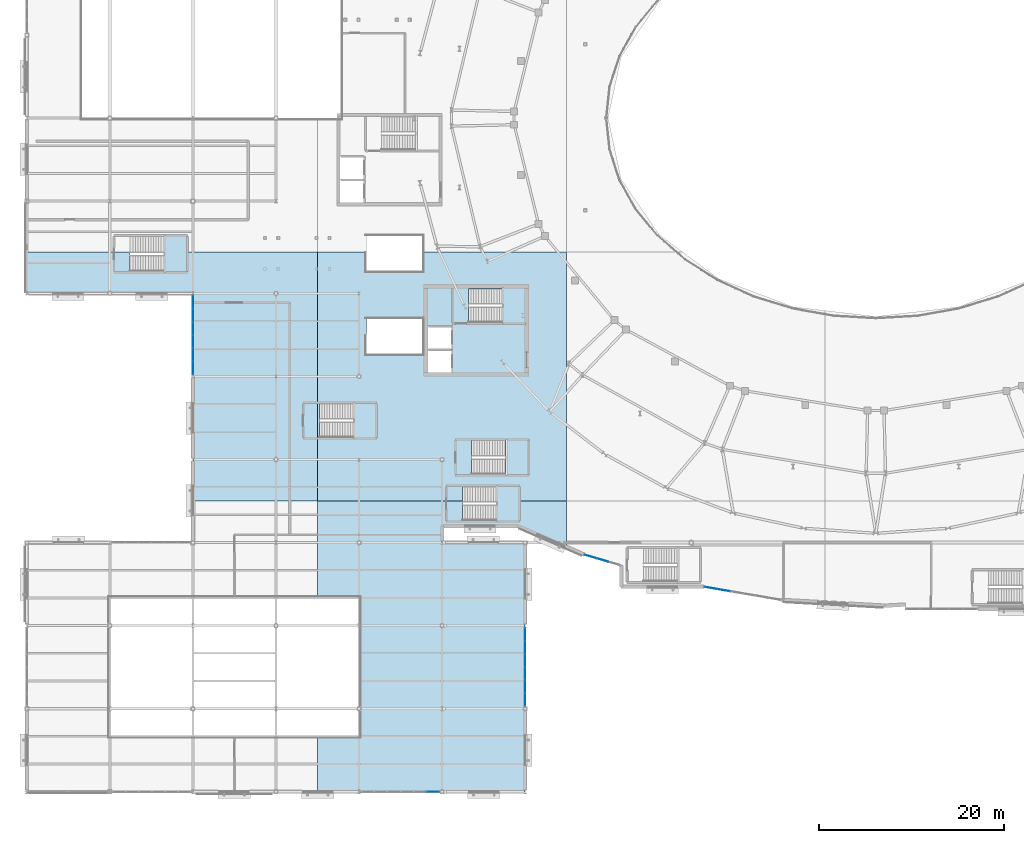
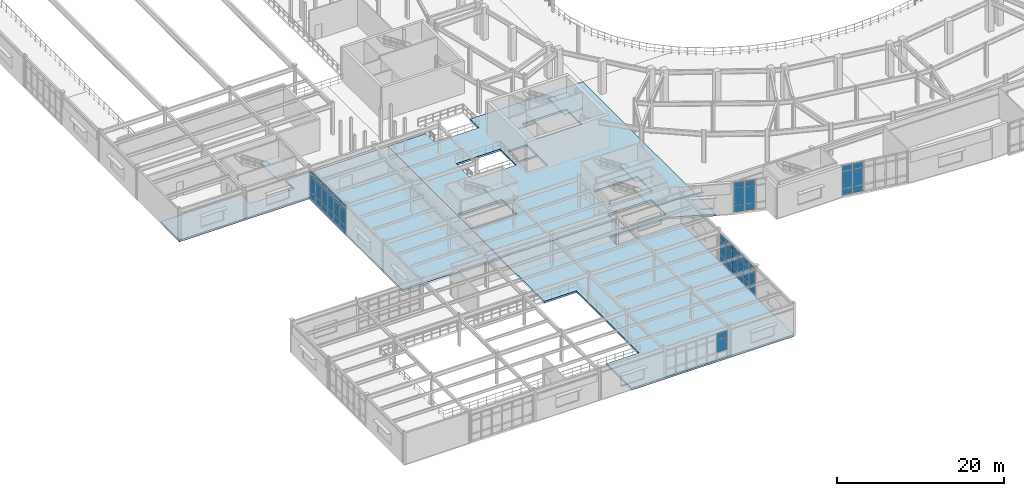
# One storey, part 53 of 86: 50 plates, 8 slabs, 10 elements without a shape of their own.
"""IFC4 building model written with IfcOpenShell, lengths in metres."""

from ifc_helpers import new_model, si_unit, direction, frame, origin, origin_2d, place, context, subcontext, project, spatial, polyline, rectangle, outline, extrude, material, layer, layer_set, type_object, element, aggregate, save


model = new_model("IFC4")

# Units and contexts
model_context = context("Model", 3, precision=1e-05, world=origin(), true_north=direction((0.0, 1.0)))
body_context = subcontext(model_context, "Body", "Model", "MODEL_VIEW")
ifc_project = project(units=[si_unit("LENGTHUNIT", "METRE"), si_unit("AREAUNIT", "SQUARE_METRE"), si_unit("VOLUMEUNIT", "CUBIC_METRE"), si_unit("PLANEANGLEUNIT", "RADIAN"), si_unit("MASSUNIT", "GRAM", prefix="KILO")], contexts=[model_context])

# Site, building, storey
site_placement = place(None, origin())
site = spatial("IfcSite", under=ifc_project, at=site_placement, CompositionType="ELEMENT")
building_placement = place(site_placement, origin())
building = spatial("IfcBuilding", under=site, at=building_placement, Name="Glasvene Arena", CompositionType="ELEMENT")
storey_placement = place(building_placement, frame((0.0, 0.0, 5.39990234375)))
storey = spatial("IfcBuildingStorey", under=building, at=storey_placement, Name="L01", CompositionType="ELEMENT", Elevation=5.39990234375)

# Curtain wall, plates
ifc_material_1 = material(Name="Low-emissivity laminated double glazing", Category="glass")
curtain_wall_type_1 = type_object("IfcCurtainWallType", Name="CW-FAC-L01-842x446", PredefinedType="USERDEFINED", material=ifc_material_1)
curtain_wall_1_placement = place(storey_placement, frame((81.720703125, 20.78271484375, 0.0)))
curtain_wall_1 = element("IfcCurtainWall", 1, at=curtain_wall_1_placement, inside=storey, type_object=curtain_wall_type_1, Name="Unitised curtain wall CW-F-L01-180-776-215-46", ObjectType="CURTAIN WALL", PredefinedType="USERDEFINED")
ifc_layer_1 = layer(ifc_material_1, 0.028076171875)
ifc_layer_set_1 = layer_set([ifc_layer_1], Name="Low-emissivity laminated double glazing")
plate_type = type_object("IfcPlateType", Name="CW-GLZ-28", PredefinedType="CURTAIN_PANEL", material=ifc_layer_set_1)
plate_1_placement = place(storey_placement, frame((75.494384765625, 21.840576171875, 0.10986328125), z_axis=(0.0, 0.0, 1.0), x_axis=(-0.985869695789, 0.167514008144, 0.0)))
plate_1 = element("IfcPlate", 2, at=plate_1_placement, type_object=plate_type, Name="CW-014 panel 5.1", PredefinedType="CURTAIN_PANEL", context=body_context, shape_type="SweptSolid", body=[
    extrude(rectangle(XDim=1.353515625, YDim=0.028076171875, at=origin_2d()), origin(), (0.0, 0.0, 1.0), 0.965087890625),
])
plate_2_placement = place(storey_placement, frame((75.494384765625, 21.840576171875, 1.125), z_axis=(0.0, 0.0, 1.0), x_axis=(-0.985869695789, 0.167514008144, 0.0)))
plate_2 = element("IfcPlate", 3, at=plate_2_placement, type_object=plate_type, Name="CW-014 panel 5.2", PredefinedType="CURTAIN_PANEL", context=body_context, shape_type="SweptSolid", body=[
    extrude(rectangle(XDim=1.353515625, YDim=0.028076171875, at=origin_2d()), origin(), (0.0, 0.0, 1.0), 2.469970703125),
])
plate_3_placement = place(storey_placement, frame((75.494384765625, 21.840576171875, 3.64501953125), z_axis=(0.0, 0.0, 1.0), x_axis=(-0.985869695789, 0.167514008144, 0.0)))
plate_3 = element("IfcPlate", 4, at=plate_3_placement, type_object=plate_type, Name="CW-014 panel 5.3", PredefinedType="CURTAIN_PANEL", context=body_context, shape_type="SweptSolid", body=[
    extrude(rectangle(XDim=1.353515625, YDim=0.028076171875, at=origin_2d()), origin(), (0.0, 0.0, 1.0), 0.824951171875),
])
plate_4_placement = place(storey_placement, frame((74.123046875, 22.07373046875, 0.10986328125), z_axis=(0.0, 0.0, 1.0), x_axis=(-0.985869695789, 0.167514008144, 0.0)))
plate_4 = element("IfcPlate", 5, at=plate_4_placement, type_object=plate_type, Name="CW-014 panel 6.1", PredefinedType="CURTAIN_PANEL", context=body_context, shape_type="SweptSolid", body=[
    extrude(rectangle(XDim=1.328369140625, YDim=0.028076171875, at=origin_2d()), origin(), (0.0, 0.0, 1.0), 0.965087890625),
])
plate_5_placement = place(storey_placement, frame((74.123046875, 22.07373046875, 1.125), z_axis=(0.0, 0.0, 1.0), x_axis=(-0.985869695789, 0.167514008144, 0.0)))
plate_5 = element("IfcPlate", 6, at=plate_5_placement, type_object=plate_type, Name="CW-014 panel 6.2", PredefinedType="CURTAIN_PANEL", context=body_context, shape_type="SweptSolid", body=[
    extrude(rectangle(XDim=1.328369140625, YDim=0.028076171875, at=origin_2d()), origin(), (0.0, 0.0, 1.0), 2.469970703125),
])
plate_6_placement = place(storey_placement, frame((74.123046875, 22.07373046875, 3.64501953125), z_axis=(0.0, 0.0, 1.0), x_axis=(-0.985869695789, 0.167514008144, 0.0)))
plate_6 = element("IfcPlate", 7, at=plate_6_placement, type_object=plate_type, Name="CW-014 panel 6.3", PredefinedType="CURTAIN_PANEL", context=body_context, shape_type="SweptSolid", body=[
    extrude(rectangle(XDim=1.328369140625, YDim=0.028076171875, at=origin_2d()), origin(), (0.0, 0.0, 1.0), 0.824951171875),
])
aggregate(curtain_wall_1, [plate_1, plate_2, plate_3, plate_4, plate_5, plate_6])

curtain_wall_type_2 = type_object("IfcCurtainWallType", Name="CW-FAC-L01-411x446", PredefinedType="USERDEFINED", material=ifc_material_1)
curtain_wall_2_placement = place(storey_placement, frame((64.361572265625, 24.525390625, 0.0)))
curtain_wall_2 = element("IfcCurtainWall", 8, at=curtain_wall_2_placement, inside=storey, type_object=curtain_wall_type_2, Name="Unitised curtain wall CW-F-L01-180-624-251-49", ObjectType="CURTAIN WALL", PredefinedType="USERDEFINED")
plate_7_placement = place(storey_placement, frame((62.390380859375, 25.103271484375, 0.10986328125), z_axis=(0.0, 0.0, 1.0), x_axis=(-0.959624012704, 0.28128589414, 0.0)))
plate_7 = element("IfcPlate", 9, at=plate_7_placement, type_object=plate_type, Name="CW-015 panel 2.1", PredefinedType="CURTAIN_PANEL", context=body_context, shape_type="SweptSolid", body=[
    extrude(rectangle(XDim=1.3193359375, YDim=0.028076171875, at=origin_2d()), origin(), (0.0, 0.0, 1.0), 0.965087890625),
])
plate_8_placement = place(storey_placement, frame((62.390380859375, 25.103271484375, 1.125), z_axis=(0.0, 0.0, 1.0), x_axis=(-0.959624012704, 0.28128589414, 0.0)))
plate_8 = element("IfcPlate", 10, at=plate_8_placement, type_object=plate_type, Name="CW-015 panel 2.2", PredefinedType="CURTAIN_PANEL", context=body_context, shape_type="SweptSolid", body=[
    extrude(rectangle(XDim=1.3193359375, YDim=0.028076171875, at=origin_2d()), origin(), (0.0, 0.0, 1.0), 2.469970703125),
])
plate_9_placement = place(storey_placement, frame((62.390380859375, 25.103271484375, 3.64501953125), z_axis=(0.0, 0.0, 1.0), x_axis=(-0.959624012704, 0.28128589414, 0.0)))
plate_9 = element("IfcPlate", 11, at=plate_9_placement, type_object=plate_type, Name="CW-015 panel 2.3", PredefinedType="CURTAIN_PANEL", context=body_context, shape_type="SweptSolid", body=[
    extrude(rectangle(XDim=1.3193359375, YDim=0.028076171875, at=origin_2d()), origin(), (0.0, 0.0, 1.0), 0.824951171875),
])
plate_10_placement = place(storey_placement, frame((61.08837890625, 25.48486328125, 0.10986328125), z_axis=(0.0, 0.0, 1.0), x_axis=(-0.959624012704, 0.28128589414, 0.0)))
plate_10 = element("IfcPlate", 12, at=plate_10_placement, type_object=plate_type, Name="CW-015 panel 3.1", PredefinedType="CURTAIN_PANEL", context=body_context, shape_type="SweptSolid", body=[
    extrude(rectangle(XDim=1.29443359375, YDim=0.028076171875, at=origin_2d()), origin(), (0.0, 0.0, 1.0), 0.965087890625),
])
plate_11_placement = place(storey_placement, frame((61.08837890625, 25.48486328125, 1.125), z_axis=(0.0, 0.0, 1.0), x_axis=(-0.959624012704, 0.28128589414, 0.0)))
plate_11 = element("IfcPlate", 13, at=plate_11_placement, type_object=plate_type, Name="CW-015 panel 3.2", PredefinedType="CURTAIN_PANEL", context=body_context, shape_type="SweptSolid", body=[
    extrude(rectangle(XDim=1.29443359375, YDim=0.028076171875, at=origin_2d()), origin(), (0.0, 0.0, 1.0), 2.469970703125),
])
plate_12_placement = place(storey_placement, frame((61.08837890625, 25.48486328125, 3.64501953125), z_axis=(0.0, 0.0, 1.0), x_axis=(-0.959624012704, 0.28128589414, 0.0)))
plate_12 = element("IfcPlate", 14, at=plate_12_placement, type_object=plate_type, Name="CW-015 panel 3.3", PredefinedType="CURTAIN_PANEL", context=body_context, shape_type="SweptSolid", body=[
    extrude(rectangle(XDim=1.29443359375, YDim=0.028076171875, at=origin_2d()), origin(), (0.0, 0.0, 1.0), 0.824951171875),
])
aggregate(curtain_wall_2, [plate_7, plate_8, plate_9, plate_10, plate_11, plate_12])

curtain_wall_type_3 = type_object("IfcCurtainWallType", Name="CW-FAC-L01-851x416", PredefinedType="USERDEFINED", material=ifc_material_1)
curtain_wall_3_placement = place(storey_placement, frame((54.0, 17.758056640625, 0.0)))
curtain_wall_3 = element("IfcCurtainWall", 15, at=curtain_wall_3_placement, inside=storey, type_object=curtain_wall_type_3, Name="Unitised curtain wall CW-F-L01-180-540-135-55", ObjectType="CURTAIN WALL", PredefinedType="USERDEFINED")
plate_13_placement = place(storey_placement, frame((54.0, 17.0361328125, 0.10986328125), z_axis=(0.0, 0.0, 1.0), x_axis=(0.0, -1.0, 0.0)))
plate_13 = element("IfcPlate", 16, at=plate_13_placement, type_object=plate_type, Name="CW-016 panel 1.1", PredefinedType="CURTAIN_PANEL", context=body_context, shape_type="SweptSolid", body=[
    extrude(rectangle(XDim=1.34375, YDim=0.028076171875, at=origin_2d()), origin(), (0.0, 0.0, 1.0), 0.965087890625),
])
plate_14_placement = place(storey_placement, frame((54.0, 17.0361328125, 1.125), z_axis=(0.0, 0.0, 1.0), x_axis=(0.0, -1.0, 0.0)))
plate_14 = element("IfcPlate", 17, at=plate_14_placement, type_object=plate_type, Name="CW-016 panel 1.2", PredefinedType="CURTAIN_PANEL", context=body_context, shape_type="SweptSolid", body=[
    extrude(rectangle(XDim=1.34375, YDim=0.028076171875, at=origin_2d()), origin(), (0.0, 0.0, 1.0), 2.1650390625),
])
plate_15_placement = place(storey_placement, frame((54.0, 17.0361328125, 3.34033203125), z_axis=(0.0, 0.0, 1.0), x_axis=(0.0, -1.0, 0.0)))
plate_15 = element("IfcPlate", 18, at=plate_15_placement, type_object=plate_type, Name="CW-016 panel 1.3", PredefinedType="CURTAIN_PANEL", context=body_context, shape_type="SweptSolid", body=[
    extrude(rectangle(XDim=1.34375, YDim=0.028076171875, at=origin_2d()), origin(), (0.0, 0.0, 1.0), 0.824951171875),
])
plate_16_placement = place(storey_placement, frame((54.0, 15.6298828125, 0.10986328125), z_axis=(0.0, 0.0, 1.0), x_axis=(0.0, -1.0, 0.0)))
plate_16 = element("IfcPlate", 19, at=plate_16_placement, type_object=plate_type, Name="CW-016 panel 2.1", PredefinedType="CURTAIN_PANEL", context=body_context, shape_type="SweptSolid", body=[
    extrude(rectangle(XDim=1.368896484375, YDim=0.028076171875, at=origin_2d()), origin(), (0.0, 0.0, 1.0), 0.965087890625),
])
plate_17_placement = place(storey_placement, frame((54.0, 15.6298828125, 1.125), z_axis=(0.0, 0.0, 1.0), x_axis=(0.0, -1.0, 0.0)))
plate_17 = element("IfcPlate", 20, at=plate_17_placement, type_object=plate_type, Name="CW-016 panel 2.2", PredefinedType="CURTAIN_PANEL", context=body_context, shape_type="SweptSolid", body=[
    extrude(rectangle(XDim=1.368896484375, YDim=0.028076171875, at=origin_2d()), origin(), (0.0, 0.0, 1.0), 2.1650390625),
])
plate_18_placement = place(storey_placement, frame((54.0, 15.6298828125, 3.34033203125), z_axis=(0.0, 0.0, 1.0), x_axis=(0.0, -1.0, 0.0)))
plate_18 = element("IfcPlate", 21, at=plate_18_placement, type_object=plate_type, Name="CW-016 panel 2.3", PredefinedType="CURTAIN_PANEL", context=body_context, shape_type="SweptSolid", body=[
    extrude(rectangle(XDim=1.368896484375, YDim=0.028076171875, at=origin_2d()), origin(), (0.0, 0.0, 1.0), 0.824951171875),
])
plate_19_placement = place(storey_placement, frame((54.0, 14.2109375, 0.10986328125), z_axis=(0.0, 0.0, 1.0), x_axis=(0.0, -1.0, 0.0)))
plate_19 = element("IfcPlate", 22, at=plate_19_placement, type_object=plate_type, Name="CW-016 panel 3.1", PredefinedType="CURTAIN_PANEL", context=body_context, shape_type="SweptSolid", body=[
    extrude(rectangle(XDim=1.368896484375, YDim=0.028076171875, at=origin_2d()), origin(), (0.0, 0.0, 1.0), 0.965087890625),
])
plate_20_placement = place(storey_placement, frame((54.0, 14.2109375, 1.125), z_axis=(0.0, 0.0, 1.0), x_axis=(0.0, -1.0, 0.0)))
plate_20 = element("IfcPlate", 23, at=plate_20_placement, type_object=plate_type, Name="CW-016 panel 3.2", PredefinedType="CURTAIN_PANEL", context=body_context, shape_type="SweptSolid", body=[
    extrude(rectangle(XDim=1.368896484375, YDim=0.028076171875, at=origin_2d()), origin(), (0.0, 0.0, 1.0), 2.1650390625),
])
plate_21_placement = place(storey_placement, frame((54.0, 14.2109375, 3.34033203125), z_axis=(0.0, 0.0, 1.0), x_axis=(0.0, -1.0, 0.0)))
plate_21 = element("IfcPlate", 24, at=plate_21_placement, type_object=plate_type, Name="CW-016 panel 3.3", PredefinedType="CURTAIN_PANEL", context=body_context, shape_type="SweptSolid", body=[
    extrude(rectangle(XDim=1.368896484375, YDim=0.028076171875, at=origin_2d()), origin(), (0.0, 0.0, 1.0), 0.824951171875),
])
plate_22_placement = place(storey_placement, frame((54.0, 12.792236328125, 0.10986328125), z_axis=(0.0, 0.0, 1.0), x_axis=(0.0, -1.0, 0.0)))
plate_22 = element("IfcPlate", 25, at=plate_22_placement, type_object=plate_type, Name="CW-016 panel 4.1", PredefinedType="CURTAIN_PANEL", context=body_context, shape_type="SweptSolid", body=[
    extrude(rectangle(XDim=1.368896484375, YDim=0.028076171875, at=origin_2d()), origin(), (0.0, 0.0, 1.0), 0.965087890625),
])
plate_23_placement = place(storey_placement, frame((54.0, 12.792236328125, 1.125), z_axis=(0.0, 0.0, 1.0), x_axis=(0.0, -1.0, 0.0)))
plate_23 = element("IfcPlate", 26, at=plate_23_placement, type_object=plate_type, Name="CW-016 panel 4.2", PredefinedType="CURTAIN_PANEL", context=body_context, shape_type="SweptSolid", body=[
    extrude(rectangle(XDim=1.368896484375, YDim=0.028076171875, at=origin_2d()), origin(), (0.0, 0.0, 1.0), 2.1650390625),
])
plate_24_placement = place(storey_placement, frame((54.0, 12.792236328125, 3.34033203125), z_axis=(0.0, 0.0, 1.0), x_axis=(0.0, -1.0, 0.0)))
plate_24 = element("IfcPlate", 27, at=plate_24_placement, type_object=plate_type, Name="CW-016 panel 4.3", PredefinedType="CURTAIN_PANEL", context=body_context, shape_type="SweptSolid", body=[
    extrude(rectangle(XDim=1.368896484375, YDim=0.028076171875, at=origin_2d()), origin(), (0.0, 0.0, 1.0), 0.824951171875),
])
plate_25_placement = place(storey_placement, frame((54.0, 11.373291015625, 0.10986328125), z_axis=(0.0, 0.0, 1.0), x_axis=(0.0, -1.0, 0.0)))
plate_25 = element("IfcPlate", 28, at=plate_25_placement, type_object=plate_type, Name="CW-016 panel 5.1", PredefinedType="CURTAIN_PANEL", context=body_context, shape_type="SweptSolid", body=[
    extrude(rectangle(XDim=1.368896484375, YDim=0.028076171875, at=origin_2d()), origin(), (0.0, 0.0, 1.0), 0.965087890625),
])
plate_26_placement = place(storey_placement, frame((54.0, 11.373291015625, 1.125), z_axis=(0.0, 0.0, 1.0), x_axis=(0.0, -1.0, 0.0)))
plate_26 = element("IfcPlate", 29, at=plate_26_placement, type_object=plate_type, Name="CW-016 panel 5.2", PredefinedType="CURTAIN_PANEL", context=body_context, shape_type="SweptSolid", body=[
    extrude(rectangle(XDim=1.368896484375, YDim=0.028076171875, at=origin_2d()), origin(), (0.0, 0.0, 1.0), 2.1650390625),
])
plate_27_placement = place(storey_placement, frame((54.0, 11.373291015625, 3.34033203125), z_axis=(0.0, 0.0, 1.0), x_axis=(0.0, -1.0, 0.0)))
plate_27 = element("IfcPlate", 30, at=plate_27_placement, type_object=plate_type, Name="CW-016 panel 5.3", PredefinedType="CURTAIN_PANEL", context=body_context, shape_type="SweptSolid", body=[
    extrude(rectangle(XDim=1.368896484375, YDim=0.028076171875, at=origin_2d()), origin(), (0.0, 0.0, 1.0), 0.824951171875),
])
plate_28_placement = place(storey_placement, frame((54.0, 9.967041015625, 0.10986328125), z_axis=(0.0, 0.0, 1.0), x_axis=(0.0, -1.0, 0.0)))
plate_28 = element("IfcPlate", 31, at=plate_28_placement, type_object=plate_type, Name="CW-016 panel 6.1", PredefinedType="CURTAIN_PANEL", context=body_context, shape_type="SweptSolid", body=[
    extrude(rectangle(XDim=1.34375, YDim=0.028076171875, at=origin_2d()), origin(), (0.0, 0.0, 1.0), 0.965087890625),
])
plate_29_placement = place(storey_placement, frame((54.0, 9.967041015625, 1.125), z_axis=(0.0, 0.0, 1.0), x_axis=(0.0, -1.0, 0.0)))
plate_29 = element("IfcPlate", 32, at=plate_29_placement, type_object=plate_type, Name="CW-016 panel 6.2", PredefinedType="CURTAIN_PANEL", context=body_context, shape_type="SweptSolid", body=[
    extrude(rectangle(XDim=1.34375, YDim=0.028076171875, at=origin_2d()), origin(), (0.0, 0.0, 1.0), 2.1650390625),
])
plate_30_placement = place(storey_placement, frame((54.0, 9.967041015625, 3.34033203125), z_axis=(0.0, 0.0, 1.0), x_axis=(0.0, -1.0, 0.0)))
plate_30 = element("IfcPlate", 33, at=plate_30_placement, type_object=plate_type, Name="CW-016 panel 6.3", PredefinedType="CURTAIN_PANEL", context=body_context, shape_type="SweptSolid", body=[
    extrude(rectangle(XDim=1.34375, YDim=0.028076171875, at=origin_2d()), origin(), (0.0, 0.0, 1.0), 0.824951171875),
])
aggregate(curtain_wall_3, [plate_13, plate_14, plate_15, plate_16, plate_17, plate_18, plate_19, plate_20, plate_21, plate_22, plate_23, plate_24, plate_25, plate_26, plate_27, plate_28, plate_29, plate_30])

curtain_wall_type_4 = type_object("IfcCurtainWallType", Name="CW-FAC-L01-856x385", PredefinedType="USERDEFINED", material=ifc_material_1)
curtain_wall_4_placement = place(storey_placement, frame((44.7548828125, 0.0, 0.0)))
curtain_wall_4 = element("IfcCurtainWall", 34, at=curtain_wall_4_placement, inside=storey, type_object=curtain_wall_type_4, Name="Unitised curtain wall CW-F-L01-150-405-0-58", ObjectType="CURTAIN WALL", PredefinedType="USERDEFINED")
plate_31_placement = place(storey_placement, frame((44.02880859375, 0.0, 1.125244140625), z_axis=(0.0, 0.0, 1.0), x_axis=(-1.0, 0.0, 0.0)))
plate_31 = element("IfcPlate", 35, at=plate_31_placement, type_object=plate_type, Name="CW-017 panel 1.2", PredefinedType="CURTAIN_PANEL", context=body_context, shape_type="SweptSolid", body=[
    extrude(rectangle(XDim=1.35205078125, YDim=0.028076171875, at=origin_2d()), origin(), (0.0, 0.0, 1.0), 1.85693359375),
])
plate_32_placement = place(storey_placement, frame((44.02880859375, 0.0, 3.0322265625), z_axis=(0.0, 0.0, 1.0), x_axis=(-1.0, 0.0, 0.0)))
plate_32 = element("IfcPlate", 36, at=plate_32_placement, type_object=plate_type, Name="CW-017 panel 1.3", PredefinedType="CURTAIN_PANEL", context=body_context, shape_type="SweptSolid", body=[
    extrude(rectangle(XDim=1.35205078125, YDim=0.028076171875, at=origin_2d()), origin(), (0.0, 0.0, 1.0), 0.824951171875),
])
aggregate(curtain_wall_4, [plate_31, plate_32])

curtain_wall_type_5 = type_object("IfcCurtainWallType", Name="CW-FAC-L01-861x416", PredefinedType="USERDEFINED", material=ifc_material_1)
curtain_wall_5_placement = place(storey_placement, frame((18.0, 45.19189453125, 0.0)))
curtain_wall_5 = element("IfcCurtainWall", 37, at=curtain_wall_5_placement, inside=storey, type_object=curtain_wall_type_5, Name="Unitised curtain wall CW-F-L01-180-180-495-70", ObjectType="CURTAIN WALL", PredefinedType="USERDEFINED")
plate_33_placement = place(storey_placement, frame((18.0, 45.921630859375, 0.10986328125), z_axis=(0.0, 0.0, 1.0), x_axis=(0.0, 1.0, 0.0)))
plate_33 = element("IfcPlate", 38, at=plate_33_placement, type_object=plate_type, Name="CW-018 panel 1.1", PredefinedType="CURTAIN_PANEL", context=body_context, shape_type="SweptSolid", body=[
    extrude(rectangle(XDim=1.359375, YDim=0.028076171875, at=origin_2d()), origin(), (0.0, 0.0, 1.0), 0.965087890625),
])
plate_34_placement = place(storey_placement, frame((18.0, 45.921630859375, 1.125), z_axis=(0.0, 0.0, 1.0), x_axis=(0.0, 1.0, 0.0)))
plate_34 = element("IfcPlate", 39, at=plate_34_placement, type_object=plate_type, Name="CW-018 panel 1.2", PredefinedType="CURTAIN_PANEL", context=body_context, shape_type="SweptSolid", body=[
    extrude(rectangle(XDim=1.359375, YDim=0.028076171875, at=origin_2d()), origin(), (0.0, 0.0, 1.0), 2.1650390625),
])
plate_35_placement = place(storey_placement, frame((18.0, 45.921630859375, 3.34033203125), z_axis=(0.0, 0.0, 1.0), x_axis=(0.0, 1.0, 0.0)))
plate_35 = element("IfcPlate", 40, at=plate_35_placement, type_object=plate_type, Name="CW-018 panel 1.3", PredefinedType="CURTAIN_PANEL", context=body_context, shape_type="SweptSolid", body=[
    extrude(rectangle(XDim=1.359375, YDim=0.028076171875, at=origin_2d()), origin(), (0.0, 0.0, 1.0), 0.824951171875),
])
plate_36_placement = place(storey_placement, frame((18.0, 47.343505859375, 0.10986328125), z_axis=(0.0, 0.0, 1.0), x_axis=(0.0, 1.0, 0.0)))
plate_36 = element("IfcPlate", 41, at=plate_36_placement, type_object=plate_type, Name="CW-018 panel 2.1", PredefinedType="CURTAIN_PANEL", context=body_context, shape_type="SweptSolid", body=[
    extrude(rectangle(XDim=1.38427734375, YDim=0.028076171875, at=origin_2d()), origin(), (0.0, 0.0, 1.0), 0.965087890625),
])
plate_37_placement = place(storey_placement, frame((18.0, 47.343505859375, 1.125), z_axis=(0.0, 0.0, 1.0), x_axis=(0.0, 1.0, 0.0)))
plate_37 = element("IfcPlate", 42, at=plate_37_placement, type_object=plate_type, Name="CW-018 panel 2.2", PredefinedType="CURTAIN_PANEL", context=body_context, shape_type="SweptSolid", body=[
    extrude(rectangle(XDim=1.38427734375, YDim=0.028076171875, at=origin_2d()), origin(), (0.0, 0.0, 1.0), 2.1650390625),
])
plate_38_placement = place(storey_placement, frame((18.0, 47.343505859375, 3.34033203125), z_axis=(0.0, 0.0, 1.0), x_axis=(0.0, 1.0, 0.0)))
plate_38 = element("IfcPlate", 43, at=plate_38_placement, type_object=plate_type, Name="CW-018 panel 2.3", PredefinedType="CURTAIN_PANEL", context=body_context, shape_type="SweptSolid", body=[
    extrude(rectangle(XDim=1.38427734375, YDim=0.028076171875, at=origin_2d()), origin(), (0.0, 0.0, 1.0), 0.824951171875),
])
plate_39_placement = place(storey_placement, frame((18.0, 48.777587890625, 0.10986328125), z_axis=(0.0, 0.0, 1.0), x_axis=(0.0, 1.0, 0.0)))
plate_39 = element("IfcPlate", 44, at=plate_39_placement, type_object=plate_type, Name="CW-018 panel 3.1", PredefinedType="CURTAIN_PANEL", context=body_context, shape_type="SweptSolid", body=[
    extrude(rectangle(XDim=1.38427734375, YDim=0.028076171875, at=origin_2d()), origin(), (0.0, 0.0, 1.0), 0.965087890625),
])
plate_40_placement = place(storey_placement, frame((18.0, 48.777587890625, 1.125), z_axis=(0.0, 0.0, 1.0), x_axis=(0.0, 1.0, 0.0)))
plate_40 = element("IfcPlate", 45, at=plate_40_placement, type_object=plate_type, Name="CW-018 panel 3.2", PredefinedType="CURTAIN_PANEL", context=body_context, shape_type="SweptSolid", body=[
    extrude(rectangle(XDim=1.38427734375, YDim=0.028076171875, at=origin_2d()), origin(), (0.0, 0.0, 1.0), 2.1650390625),
])
plate_41_placement = place(storey_placement, frame((18.0, 48.777587890625, 3.34033203125), z_axis=(0.0, 0.0, 1.0), x_axis=(0.0, 1.0, 0.0)))
plate_41 = element("IfcPlate", 46, at=plate_41_placement, type_object=plate_type, Name="CW-018 panel 3.3", PredefinedType="CURTAIN_PANEL", context=body_context, shape_type="SweptSolid", body=[
    extrude(rectangle(XDim=1.38427734375, YDim=0.028076171875, at=origin_2d()), origin(), (0.0, 0.0, 1.0), 0.824951171875),
])
plate_42_placement = place(storey_placement, frame((18.0, 50.2119140625, 0.10986328125), z_axis=(0.0, 0.0, 1.0), x_axis=(0.0, 1.0, 0.0)))
plate_42 = element("IfcPlate", 47, at=plate_42_placement, type_object=plate_type, Name="CW-018 panel 4.1", PredefinedType="CURTAIN_PANEL", context=body_context, shape_type="SweptSolid", body=[
    extrude(rectangle(XDim=1.38427734375, YDim=0.028076171875, at=origin_2d()), origin(), (0.0, 0.0, 1.0), 0.965087890625),
])
plate_43_placement = place(storey_placement, frame((18.0, 50.2119140625, 1.125), z_axis=(0.0, 0.0, 1.0), x_axis=(0.0, 1.0, 0.0)))
plate_43 = element("IfcPlate", 48, at=plate_43_placement, type_object=plate_type, Name="CW-018 panel 4.2", PredefinedType="CURTAIN_PANEL", context=body_context, shape_type="SweptSolid", body=[
    extrude(rectangle(XDim=1.38427734375, YDim=0.028076171875, at=origin_2d()), origin(), (0.0, 0.0, 1.0), 2.1650390625),
])
plate_44_placement = place(storey_placement, frame((18.0, 50.2119140625, 3.34033203125), z_axis=(0.0, 0.0, 1.0), x_axis=(0.0, 1.0, 0.0)))
plate_44 = element("IfcPlate", 49, at=plate_44_placement, type_object=plate_type, Name="CW-018 panel 4.3", PredefinedType="CURTAIN_PANEL", context=body_context, shape_type="SweptSolid", body=[
    extrude(rectangle(XDim=1.38427734375, YDim=0.028076171875, at=origin_2d()), origin(), (0.0, 0.0, 1.0), 0.824951171875),
])
plate_45_placement = place(storey_placement, frame((18.0, 51.646240234375, 0.10986328125), z_axis=(0.0, 0.0, 1.0), x_axis=(0.0, 1.0, 0.0)))
plate_45 = element("IfcPlate", 50, at=plate_45_placement, type_object=plate_type, Name="CW-018 panel 5.1", PredefinedType="CURTAIN_PANEL", context=body_context, shape_type="SweptSolid", body=[
    extrude(rectangle(XDim=1.38427734375, YDim=0.028076171875, at=origin_2d()), origin(), (0.0, 0.0, 1.0), 0.965087890625),
])
plate_46_placement = place(storey_placement, frame((18.0, 51.646240234375, 1.125), z_axis=(0.0, 0.0, 1.0), x_axis=(0.0, 1.0, 0.0)))
plate_46 = element("IfcPlate", 51, at=plate_46_placement, type_object=plate_type, Name="CW-018 panel 5.2", PredefinedType="CURTAIN_PANEL", context=body_context, shape_type="SweptSolid", body=[
    extrude(rectangle(XDim=1.38427734375, YDim=0.028076171875, at=origin_2d()), origin(), (0.0, 0.0, 1.0), 2.1650390625),
])
plate_47_placement = place(storey_placement, frame((18.0, 51.646240234375, 3.34033203125), z_axis=(0.0, 0.0, 1.0), x_axis=(0.0, 1.0, 0.0)))
plate_47 = element("IfcPlate", 52, at=plate_47_placement, type_object=plate_type, Name="CW-018 panel 5.3", PredefinedType="CURTAIN_PANEL", context=body_context, shape_type="SweptSolid", body=[
    extrude(rectangle(XDim=1.38427734375, YDim=0.028076171875, at=origin_2d()), origin(), (0.0, 0.0, 1.0), 0.824951171875),
])
plate_48_placement = place(storey_placement, frame((18.0, 53.068115234375, 0.10986328125), z_axis=(0.0, 0.0, 1.0), x_axis=(0.0, 1.0, 0.0)))
plate_48 = element("IfcPlate", 53, at=plate_48_placement, type_object=plate_type, Name="CW-018 panel 6.1", PredefinedType="CURTAIN_PANEL", context=body_context, shape_type="SweptSolid", body=[
    extrude(rectangle(XDim=1.359375, YDim=0.028076171875, at=origin_2d()), origin(), (0.0, 0.0, 1.0), 0.965087890625),
])
plate_49_placement = place(storey_placement, frame((18.0, 53.068115234375, 1.125), z_axis=(0.0, 0.0, 1.0), x_axis=(0.0, 1.0, 0.0)))
plate_49 = element("IfcPlate", 54, at=plate_49_placement, type_object=plate_type, Name="CW-018 panel 6.2", PredefinedType="CURTAIN_PANEL", context=body_context, shape_type="SweptSolid", body=[
    extrude(rectangle(XDim=1.359375, YDim=0.028076171875, at=origin_2d()), origin(), (0.0, 0.0, 1.0), 2.1650390625),
])
plate_50_placement = place(storey_placement, frame((18.0, 53.068115234375, 3.34033203125), z_axis=(0.0, 0.0, 1.0), x_axis=(0.0, 1.0, 0.0)))
plate_50 = element("IfcPlate", 55, at=plate_50_placement, type_object=plate_type, Name="CW-018 panel 6.3", PredefinedType="CURTAIN_PANEL", context=body_context, shape_type="SweptSolid", body=[
    extrude(rectangle(XDim=1.359375, YDim=0.028076171875, at=origin_2d()), origin(), (0.0, 0.0, 1.0), 0.824951171875),
])
aggregate(curtain_wall_5, [plate_33, plate_34, plate_35, plate_36, plate_37, plate_38, plate_39, plate_40, plate_41, plate_42, plate_43, plate_44, plate_45, plate_46, plate_47, plate_48, plate_49, plate_50])

# Slabs
ifc_material_2 = material(Name="Concrete C40/50", Category="concrete")
ifc_layer_2 = layer(ifc_material_2, 0.280029296875)
ifc_layer_set_2 = layer_set([ifc_layer_2], Name="Concrete C40/50")
slab_type_1 = type_object("IfcSlabType", Name="SL-CONC-280", PredefinedType="FLOOR", material=ifc_layer_set_2)
slab_1_placement = place(storey_placement, frame((45.130615234375, 22.171142578125, -0.27978515625)))
element("IfcSlab", 56, at=slab_1_placement, inside=storey, type_object=slab_type_1, Name="Structural floor slab L01 sector 1-2 (40)", PredefinedType="FLOOR", context=body_context, shape_type="SweptSolid", body=[
    extrude(outline(polyline([(-0.130615234375, 6.62890625), (-0.130615234375, 4.828857421875), (8.869384765625, 4.828857421875), (8.869384765625, -22.171142578125), (-13.630615234375, -22.171142578125), (-13.630615234375, -16.171142578125), (-9.130615234375, -16.171142578125), (-9.130615234375, -1.171142578125), (-13.630615234375, -1.171142578125), (-13.630615234375, 9.328857421875), (2.0712890625, 9.328857421875), (2.0712890625, 7.228759765625), (8.16943359375, 7.228759765625), (8.16943359375, 9.328857421875), (13.369384765625, 9.328857421875), (13.369384765625, 4.3369140625), (8.08447265625, 6.62890625), (-0.130615234375, 6.62890625)])), origin(), (0.0, 0.0, 1.0), 0.27978515625),
])
slab_2_placement = place(storey_placement, frame((15.600341796875, 51.780029296875, -0.27978515625)))
element("IfcSlab", 57, at=slab_2_placement, inside=storey, type_object=slab_type_1, Name="Structural floor slab L01 sector 2-1 (44)", PredefinedType="FLOOR", context=body_context, shape_type="SweptSolid", body=[
    extrude(outline(polyline([(-15.600341796875, 2.219970703125), (-15.600341796875, 6.719970703125), (-4.3984375, 6.719970703125), (-4.3984375, 4.619873046875), (1.69970703125, 4.619873046875), (1.69970703125, 6.719970703125), (15.899658203125, 6.719970703125), (15.899658203125, -20.280029296875), (2.399658203125, -20.280029296875), (2.399658203125, 2.219970703125), (-15.600341796875, 2.219970703125)])), origin(), (0.0, 0.0, 1.0), 0.27978515625),
])
slab_3_placement = place(storey_placement, frame((45.033935546875, 44.908447265625, -0.27978515625)))
element("IfcSlab", 58, at=slab_3_placement, inside=storey, type_object=slab_type_1, Name="Structural floor slab L01 sector 2-2 (45)", PredefinedType="FLOOR", context=body_context, shape_type="SweptSolid", body=[
    extrude(outline(polyline([(-13.533935546875, 13.591552734375), (-8.23193359375, 13.591552734375), (-8.23193359375, 11.491455078125), (-2.134033203125, 11.491455078125), (-2.134033203125, 13.591552734375), (13.466064453125, 13.591552734375), (13.466064453125, -13.408447265625), (8.26611328125, -13.408447265625), (8.26611328125, -11.8583984375), (2.16796875, -11.8583984375), (2.16796875, -13.408447265625), (-13.533935546875, -13.408447265625), (-13.533935546875, 13.591552734375)]), holes=[polyline([(-7.23388671875, -6.508544921875), (-7.23388671875, -2.8583984375), (-13.33203125, -2.8583984375), (-13.33203125, -6.508544921875), (-7.23388671875, -6.508544921875)]), polyline([(1.066162109375, 0.54150390625), (1.066162109375, 2.991455078125), (-1.583984375, 2.991455078125), (-1.583984375, 0.54150390625), (1.066162109375, 0.54150390625)]), polyline([(1.066162109375, 3.091552734375), (1.066162109375, 5.54150390625), (-1.583984375, 5.54150390625), (-1.583984375, 3.091552734375), (1.066162109375, 3.091552734375)]), polyline([(-2.134033203125, 2.491455078125), (-2.134033203125, 6.341552734375), (-8.23193359375, 6.341552734375), (-8.23193359375, 2.491455078125), (-2.134033203125, 2.491455078125)]), polyline([(8.916015625, 5.941650390625), (8.916015625, 9.591552734375), (2.818115234375, 9.591552734375), (2.818115234375, 5.941650390625), (8.916015625, 5.941650390625)]), polyline([(9.26611328125, -10.508544921875), (9.26611328125, -6.8583984375), (3.16796875, -6.8583984375), (3.16796875, -10.508544921875), (9.26611328125, -10.508544921875)])]), origin(), (0.0, 0.0, 1.0), 0.27978515625),
])

# Stair, slab
stair_type_1 = type_object("IfcStairType", Name="ST-HT-480-170", PredefinedType="HALF_TURN_STAIR", material=ifc_material_2)
stair_1_placement = place(storey_placement, origin())
stair_1 = element("IfcStair", 59, at=stair_1_placement, inside=storey, type_object=stair_type_1, Name="Protected escape stair ST-03 (L01 to L02)", PredefinedType="HALF_TURN_STAIR")
ifc_layer_3 = layer(ifc_material_2, 0.219970703125)
ifc_layer_set_3 = layer_set([ifc_layer_3], Name="Concrete C40/50")
slab_type_2 = type_object("IfcSlabType", Name="SL-LAND-220", PredefinedType="LANDING", material=ifc_layer_set_3)
slab_4_placement = place(storey_placement, frame((52.77001953125, 52.675048828125, 2.18017578125)))
slab_4 = element("IfcSlab", 60, at=slab_4_placement, type_object=slab_type_2, Name="Protected escape stair ST-03 (L01 to L02) landing 1", PredefinedType="LANDING", context=body_context, shape_type="SweptSolid", body=[
    extrude(outline(polyline([(-1.280029296875, -1.925048828125), (1.280029296875, -1.925048828125), (1.280029296875, 1.925048828125), (-1.280029296875, 1.925048828125), (-1.280029296875, -1.925048828125)])), origin(), (0.0, 0.0, 1.0), 0.219970703125),
])
aggregate(stair_1, [slab_4])

stair_2_placement = place(storey_placement, origin())
stair_2 = element("IfcStair", 61, at=stair_2_placement, inside=storey, type_object=stair_type_1, Name="Protected escape stair ST-05 (L01 to L02)", PredefinedType="HALF_TURN_STAIR")
slab_5_placement = place(storey_placement, frame((53.1201171875, 36.22509765625, 2.18017578125)))
slab_5 = element("IfcSlab", 62, at=slab_5_placement, type_object=slab_type_2, Name="Protected escape stair ST-05 (L01 to L02) landing 1", PredefinedType="LANDING", context=body_context, shape_type="SweptSolid", body=[
    extrude(outline(polyline([(-1.280029296875, -1.925048828125), (1.27978515625, -1.925048828125), (1.27978515625, 1.9248046875), (-1.280029296875, 1.9248046875), (-1.280029296875, -1.925048828125)])), origin(), (0.0, 0.0, 1.0), 0.219970703125),
])
aggregate(stair_2, [slab_5])

stair_type_2 = type_object("IfcStairType", Name="ST-HT-480-175", PredefinedType="HALF_TURN_STAIR", material=ifc_material_2)
stair_3_placement = place(storey_placement, origin())
stair_3 = element("IfcStair", 63, at=stair_3_placement, inside=storey, type_object=stair_type_2, Name="Protected escape stair ST-13 (L01 to L02)", PredefinedType="HALF_TURN_STAIR")
slab_6_placement = place(storey_placement, frame((16.1201171875, 58.27490234375, 2.18017578125)))
slab_6 = element("IfcSlab", 64, at=slab_6_placement, type_object=slab_type_2, Name="Protected escape stair ST-13 (L01 to L02) landing 1", PredefinedType="LANDING", context=body_context, shape_type="SweptSolid", body=[
    extrude(outline(polyline([(-1.280029296875, -1.974853515625), (1.27978515625, -1.974853515625), (1.27978515625, 1.97509765625), (-1.280029296875, 1.97509765625), (-1.280029296875, -1.974853515625)])), origin(), (0.0, 0.0, 1.0), 0.219970703125),
])
aggregate(stair_3, [slab_6])

stair_4_placement = place(storey_placement, origin())
stair_4 = element("IfcStair", 65, at=stair_4_placement, inside=storey, type_object=stair_type_1, Name="Protected escape stair ST-15 (L01 to L02)", PredefinedType="HALF_TURN_STAIR")
slab_7_placement = place(storey_placement, frame((36.6201171875, 40.22509765625, 2.18017578125)))
slab_7 = element("IfcSlab", 66, at=slab_7_placement, type_object=slab_type_2, Name="Protected escape stair ST-15 (L01 to L02) landing 1", PredefinedType="LANDING", context=body_context, shape_type="SweptSolid", body=[
    extrude(outline(polyline([(-1.280029296875, -1.925048828125), (1.27978515625, -1.925048828125), (1.27978515625, 1.9248046875), (-1.280029296875, 1.9248046875), (-1.280029296875, -1.925048828125)])), origin(), (0.0, 0.0, 1.0), 0.219970703125),
])
aggregate(stair_4, [slab_7])

stair_5_placement = place(storey_placement, origin())
stair_5 = element("IfcStair", 67, at=stair_5_placement, inside=storey, type_object=stair_type_1, Name="Protected escape stair ST-16 (L01 to L02)", PredefinedType="HALF_TURN_STAIR")
slab_8_placement = place(storey_placement, frame((52.1201171875, 31.22509765625, 2.18017578125)))
slab_8 = element("IfcSlab", 68, at=slab_8_placement, type_object=slab_type_2, Name="Protected escape stair ST-16 (L01 to L02) landing 1", PredefinedType="LANDING", context=body_context, shape_type="SweptSolid", body=[
    extrude(outline(polyline([(-1.280029296875, -1.925048828125), (1.27978515625, -1.925048828125), (1.27978515625, 1.9248046875), (-1.280029296875, 1.9248046875), (-1.280029296875, -1.925048828125)])), origin(), (0.0, 0.0, 1.0), 0.219970703125),
])
aggregate(stair_5, [slab_8])

save(model, "model.ifc")
